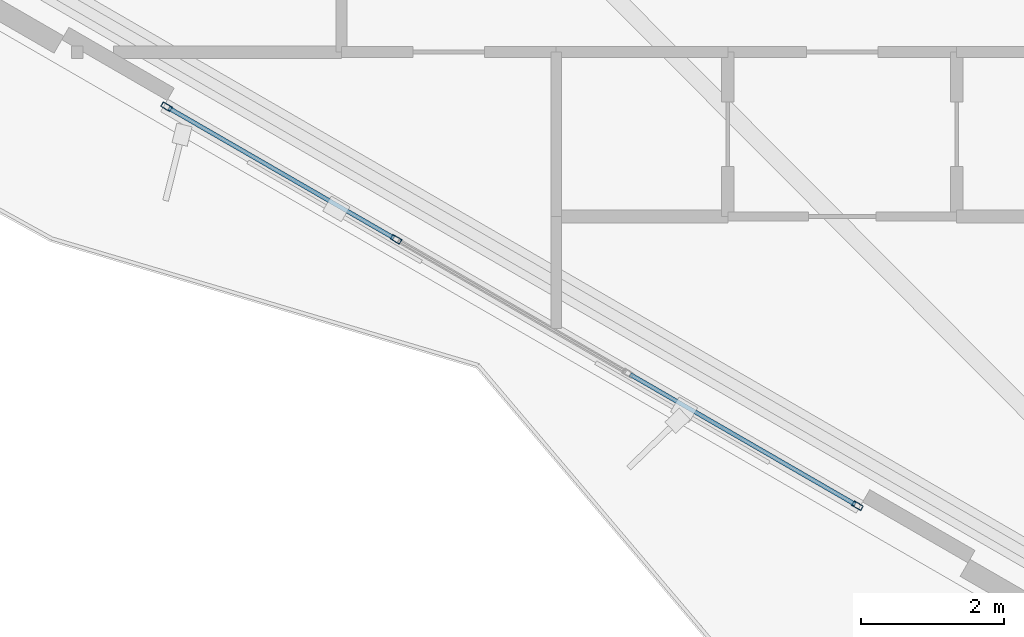
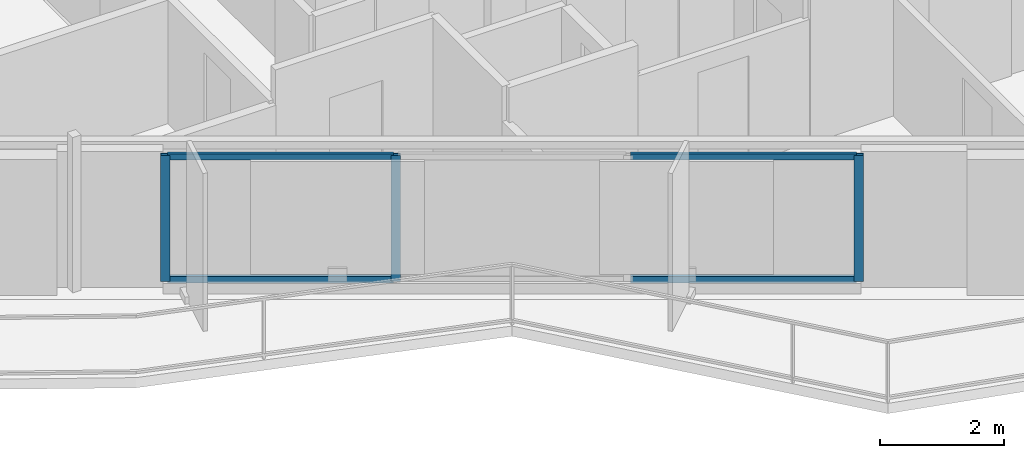
# One storey, part 2 of 22: 7 members, 1 element without a shape of its own.
"""IFC4 building model written with IfcOpenShell, lengths in metres."""

from ifc_helpers import new_model, si_unit, direction, frame, origin, origin_2d, place, context, subcontext, project, spatial, hollow_rectangle, extrude, material, layer, layer_set, material_profile, profile_set, type_object, element, aggregate, save


model = new_model("IFC4")

# Units and contexts
model_context = context("Model", 3, precision=1e-05, world=origin(), true_north=direction((0.0, 1.0)))
body_context = subcontext(model_context, "Body", "Model", "MODEL_VIEW")
ifc_project = project(units=[si_unit("LENGTHUNIT", "METRE"), si_unit("AREAUNIT", "SQUARE_METRE"), si_unit("VOLUMEUNIT", "CUBIC_METRE"), si_unit("PLANEANGLEUNIT", "RADIAN"), si_unit("MASSUNIT", "GRAM", prefix="KILO")], contexts=[model_context])

# Site, building, storey
site_placement = place(None, origin())
site = spatial("IfcSite", under=ifc_project, at=site_placement, CompositionType="ELEMENT")
building_placement = place(site_placement, origin())
building = spatial("IfcBuilding", under=site, at=building_placement, Name="Mersakhor Tower and Convention Hall", CompositionType="ELEMENT")
storey_placement = place(building_placement, frame((0.0, 0.0, 86.699951171875)))
storey = spatial("IfcBuildingStorey", under=building, at=storey_placement, Name="L23", CompositionType="ELEMENT", Elevation=86.699951171875)

# Curtain wall, members
ifc_material_1 = material(Name="Dark solar low-E aluminium curtain wall", Category="aluminium")
ifc_layer = layer(ifc_material_1, 0.159912109375)
ifc_layer_set = layer_set([ifc_layer], Name="Dark solar low-E aluminium curtain wall")
curtain_wall_type = type_object("IfcCurtainWallType", Name="CW-SYS-01", PredefinedType="USERDEFINED", material=ifc_layer_set)
curtain_wall_placement = place(storey_placement, origin())
curtain_wall = element("IfcCurtainWall", 1, at=curtain_wall_placement, inside=storey, type_object=curtain_wall_type, Name="L23 Dark-Glass Curtain Wall F3-B2", ObjectType="CURTAIN WALL", PredefinedType="USERDEFINED")
ifc_material_2 = material(Name="Anodised aluminium EN AW-6063 T6", Category="aluminium")
ifc_material_profile_1 = material_profile(ifc_material_2, hollow_rectangle(XDim=0.074951171875, YDim=0.14990234375, WallThickness=0.00634765625, at=origin_2d()), Name="RHS 150x75x6.3")
ifc_profile_set_1 = profile_set([ifc_material_profile_1], Name="Anodised aluminium EN AW-6063 T6")
member_type_1 = type_object("IfcMemberType", Name="CWM-150x75", PredefinedType="MULLION", material=ifc_profile_set_1)
member_1_placement = place(storey_placement, frame((26.812744140625, 11.80712890625, 0.199951171875), z_axis=(0.0, 0.0, 1.0), x_axis=(-0.499997904985, -0.866026613339, 0.0)))
member_1 = element("IfcMember", 2, at=member_1_placement, type_object=member_type_1, Name="CW-01 mullion 1", PredefinedType="MULLION", context=body_context, shape_type="SweptSolid", body=[
    extrude(hollow_rectangle(XDim=0.074951171875, YDim=0.14990234375, WallThickness=0.00634765625, at=origin_2d()), origin(), (0.0, 0.0, 1.0), 2.47021484375),
])
member_2_placement = place(storey_placement, frame((20.36181640625, 15.531494140625, 0.199951171875), z_axis=(0.0, 0.0, 1.0), x_axis=(-0.499997904985, -0.866026613339, 0.0)))
member_2 = element("IfcMember", 3, at=member_2_placement, type_object=member_type_1, Name="CW-01 mullion 3", PredefinedType="MULLION", context=body_context, shape_type="SweptSolid", body=[
    extrude(hollow_rectangle(XDim=0.074951171875, YDim=0.14990234375, WallThickness=0.00634765625, at=origin_2d()), origin(), (0.0, 0.0, 1.0), 2.47021484375),
])
member_3_placement = place(storey_placement, frame((17.152587890625, 17.38427734375, 0.199951171875), z_axis=(0.0, 0.0, 1.0), x_axis=(-0.499997904985, -0.866026613339, 0.0)))
member_3 = element("IfcMember", 4, at=member_3_placement, type_object=member_type_1, Name="CW-01 mullion 4", PredefinedType="MULLION", context=body_context, shape_type="SweptSolid", body=[
    extrude(hollow_rectangle(XDim=0.074951171875, YDim=0.14990234375, WallThickness=0.00634765625, at=origin_2d()), origin(), (0.0, 0.0, 1.0), 2.47021484375),
])
ifc_material_3 = material(Name="Anodised aluminium EN AW-6063 T6", Category="aluminium")
ifc_material_profile_2 = material_profile(ifc_material_3, hollow_rectangle(XDim=0.06005859375, YDim=0.1201171875, WallThickness=0.0048828125, at=origin_2d()), Name="RHS 120x60x5")
ifc_profile_set_2 = profile_set([ifc_material_profile_2], Name="Anodised aluminium EN AW-6063 T6")
member_type_2 = type_object("IfcMemberType", Name="CWT-120x60", PredefinedType="USERDEFINED", material=ifc_profile_set_2)
member_4_placement = place(storey_placement, frame((26.7802734375, 11.82568359375, 0.22998046875), z_axis=(-0.866016497289, 0.500015426185, 0.0), x_axis=(-0.500015426185, -0.866016497289, 0.0)))
member_4 = element("IfcMember", 5, at=member_4_placement, type_object=member_type_2, Name="CW-01 transom 1.1", ObjectType="TRANSOM", PredefinedType="USERDEFINED", context=body_context, shape_type="SweptSolid", body=[
    extrude(hollow_rectangle(XDim=0.06005859375, YDim=0.1201171875, WallThickness=0.0048828125, at=origin_2d()), origin(), (0.0, 0.0, 1.0), 3.630859375),
])
member_5_placement = place(storey_placement, frame((26.7802734375, 11.82568359375, 2.64013671875), z_axis=(-0.866016497289, 0.500015426185, 0.0), x_axis=(-0.500015426185, -0.866016497289, 0.0)))
member_5 = element("IfcMember", 6, at=member_5_placement, type_object=member_type_2, Name="CW-01 transom 1.2", ObjectType="TRANSOM", PredefinedType="USERDEFINED", context=body_context, shape_type="SweptSolid", body=[
    extrude(hollow_rectangle(XDim=0.06005859375, YDim=0.1201171875, WallThickness=0.0048828125, at=origin_2d()), origin(), (0.0, 0.0, 1.0), 3.630859375),
])
member_6_placement = place(storey_placement, frame((20.329345703125, 15.55029296875, 0.22998046875), z_axis=(-0.866045614266, 0.499964992784, 0.0), x_axis=(-0.499964992784, -0.866045614266, 0.0)))
member_6 = element("IfcMember", 7, at=member_6_placement, type_object=member_type_2, Name="CW-01 transom 3.1", ObjectType="TRANSOM", PredefinedType="USERDEFINED", context=body_context, shape_type="SweptSolid", body=[
    extrude(hollow_rectangle(XDim=0.06005859375, YDim=0.1201171875, WallThickness=0.0048828125, at=origin_2d()), origin(), (0.0, 0.0, 1.0), 3.630615234375),
])
member_7_placement = place(storey_placement, frame((20.329345703125, 15.55029296875, 2.64013671875), z_axis=(-0.866045614266, 0.499964992784, 0.0), x_axis=(-0.499964992784, -0.866045614266, 0.0)))
member_7 = element("IfcMember", 8, at=member_7_placement, type_object=member_type_2, Name="CW-01 transom 3.2", ObjectType="TRANSOM", PredefinedType="USERDEFINED", context=body_context, shape_type="SweptSolid", body=[
    extrude(hollow_rectangle(XDim=0.06005859375, YDim=0.1201171875, WallThickness=0.0048828125, at=origin_2d()), origin(), (0.0, 0.0, 1.0), 3.630615234375),
])
aggregate(curtain_wall, [member_1, member_2, member_3, member_4, member_5, member_6, member_7])

save(model, "model.ifc")
